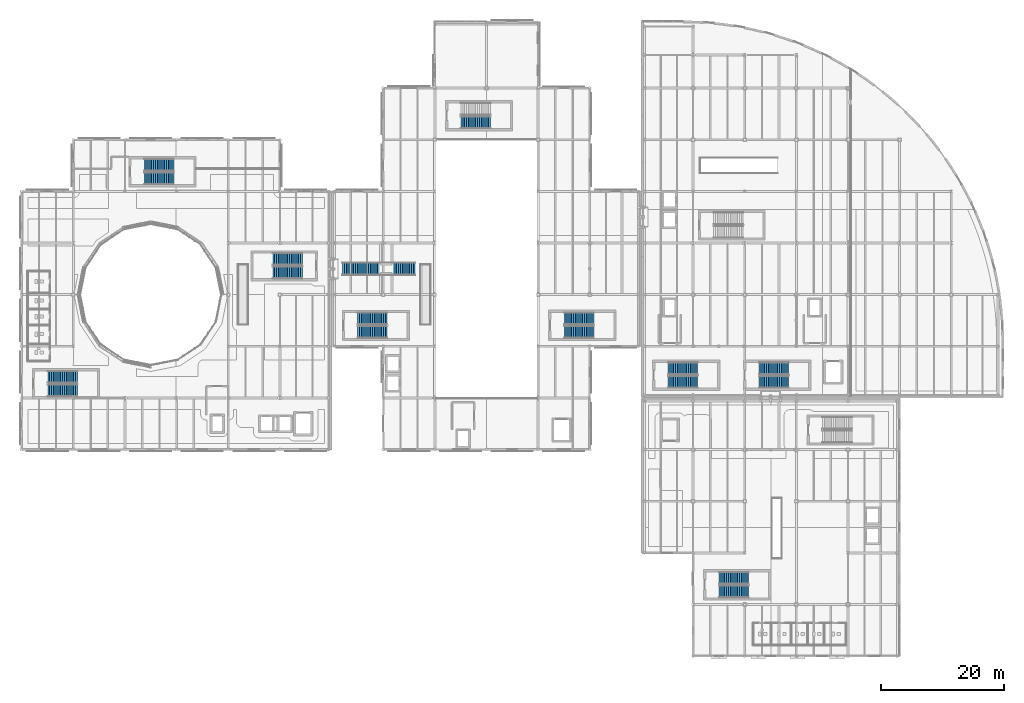
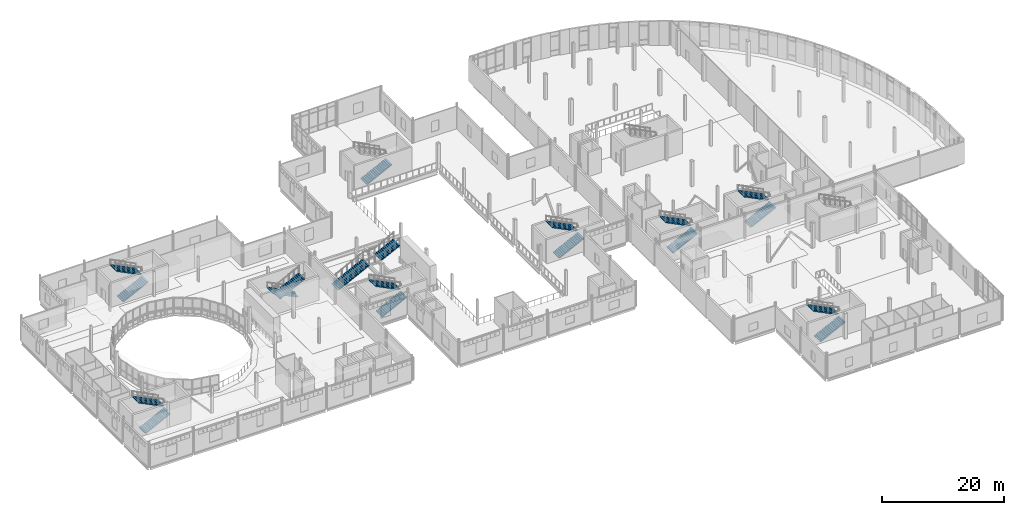
# One storey, part 74 of 104: 19 stair flights, 10 elements without a shape of their own.
"""IFC4 building model written with IfcOpenShell, lengths in metres."""

from ifc_helpers import new_model, si_unit, direction, frame, origin, place, context, subcontext, project, spatial, polyline, outline, extrude, material, type_object, element, aggregate, save


model = new_model("IFC4")

# Units and contexts
model_context = context("Model", 3, precision=1e-05, world=origin(), true_north=direction((0.0, 1.0)))
body_context = subcontext(model_context, "Body", "Model", "MODEL_VIEW")
ifc_project = project(units=[si_unit("LENGTHUNIT", "METRE"), si_unit("AREAUNIT", "SQUARE_METRE"), si_unit("VOLUMEUNIT", "CUBIC_METRE"), si_unit("PLANEANGLEUNIT", "RADIAN"), si_unit("MASSUNIT", "GRAM", prefix="KILO"), si_unit("THERMODYNAMICTEMPERATUREUNIT", "KELVIN")], contexts=[model_context])

# Site, building, storey
site_placement = place(None, origin())
site = spatial("IfcSite", under=ifc_project, at=site_placement, CompositionType="ELEMENT")
building_placement = place(site_placement, origin())
building = spatial("IfcBuilding", under=site, at=building_placement, Name="Lustrewick Department Store", CompositionType="ELEMENT")
storey_placement = place(building_placement, frame((0.0, 0.0, 11.39990234375)))
storey = spatial("IfcBuildingStorey", under=building, at=storey_placement, Name="L03", CompositionType="ELEMENT", Elevation=11.39990234375)

# Stair, stair flights
ifc_material_1 = material(Name="Structural steel S355 (Q355B)", Category="steel")
stair_type_1 = type_object("IfcStairType", Name="AST03", PredefinedType="STRAIGHT_RUN_STAIR", material=ifc_material_1)
stair_1_placement = place(storey_placement, origin())
stair_1 = element("IfcStair", 1, at=stair_1_placement, inside=storey, type_object=stair_type_1, Name="L03 Architectural Feature Stair AST03", PredefinedType="STRAIGHT_RUN_STAIR")
stair_flight_type_1 = type_object("IfcStairFlightType", Name="SF-A3", PredefinedType="STRAIGHT", material=ifc_material_1)
stair_flight_1_placement = place(storey_placement, frame((60.60009765625, 71.39990234375, 0.0), z_axis=(0.0, 0.0, 1.0), x_axis=(1.0, 0.0, 0.0)))
stair_flight_1 = element("IfcStairFlight", 2, at=stair_flight_1_placement, type_object=stair_flight_type_1, Name="AST03 flight 1", NumberOfRisers=21, NumberOfTreads=20, PredefinedType="STRAIGHT", RiserHeight=0.15, TreadLength=0.3, context=body_context, shape_type="SweptSolid", body=[
    extrude(outline(polyline([(0.0, 0.0), (0.0, 0.14990234375), (0.300048828125, 0.14990234375), (0.300048828125, 0.300048828125), (0.60009765625, 0.300048828125), (0.60009765625, 0.449951171875), (0.89990234375, 0.449951171875), (0.89990234375, 0.60009765625), (1.199951171875, 0.60009765625), (1.199951171875, 0.75), (1.5, 0.75), (1.5, 0.89990234375), (1.800048828125, 0.89990234375), (1.800048828125, 1.050048828125), (2.10009765625, 1.050048828125), (2.10009765625, 1.199951171875), (2.39990234375, 1.199951171875), (2.39990234375, 1.35009765625), (2.699951171875, 1.35009765625), (2.699951171875, 1.5), (3.0, 1.5), (3.0, 1.64990234375), (3.300048828125, 1.64990234375), (3.300048828125, 1.800048828125), (3.60009765625, 1.800048828125), (3.60009765625, 1.949951171875), (3.89990234375, 1.949951171875), (3.89990234375, 2.10009765625), (4.199951171875, 2.10009765625), (4.199951171875, 2.25), (4.5, 2.25), (4.5, 2.39990234375), (4.800048828125, 2.39990234375), (4.800048828125, 2.550048828125), (5.10009765625, 2.550048828125), (5.10009765625, 2.699951171875), (5.39990234375, 2.699951171875), (5.39990234375, 2.85009765625), (5.699951171875, 2.85009765625), (5.699951171875, 3.0), (6.0, 3.0), (6.0, 3.14990234375), (6.0, 2.8212890625), (0.357666015625, 0.0), (0.0, 0.0)])), frame((0.0, 1.050048828125, 0.0), z_axis=(0.0, -1.0, 0.0), x_axis=(1.0, 0.0, 0.0)), (0.0, 0.0, 1.0), 2.10009765625),
])
stair_flight_2_placement = place(storey_placement, frame((68.800048828125, 71.39990234375, 3.150146484375), z_axis=(0.0, 0.0, 1.0), x_axis=(1.0, 0.0, 0.0)))
stair_flight_2 = element("IfcStairFlight", 3, at=stair_flight_2_placement, type_object=stair_flight_type_1, Name="AST03 flight 2", NumberOfRisers=13, NumberOfTreads=12, PredefinedType="STRAIGHT", RiserHeight=0.15, TreadLength=0.3, context=body_context, shape_type="SweptSolid", body=[
    extrude(outline(polyline([(0.0, 0.0), (0.0, 0.14990234375), (0.300048828125, 0.14990234375), (0.300048828125, 0.300048828125), (0.60009765625, 0.300048828125), (0.60009765625, 0.449951171875), (0.89990234375, 0.449951171875), (0.89990234375, 0.60009765625), (1.199951171875, 0.60009765625), (1.199951171875, 0.75), (1.5, 0.75), (1.5, 0.89990234375), (1.800048828125, 0.89990234375), (1.800048828125, 1.050048828125), (2.10009765625, 1.050048828125), (2.10009765625, 1.199951171875), (2.39990234375, 1.199951171875), (2.39990234375, 1.35009765625), (2.699951171875, 1.35009765625), (2.699951171875, 1.5), (3.0, 1.5), (3.0, 1.64990234375), (3.300048828125, 1.64990234375), (3.300048828125, 1.800048828125), (3.60009765625, 1.800048828125), (3.60009765625, 1.949951171875), (3.60009765625, 1.62109375), (0.357666015625, 0.0), (0.0, 0.0)])), frame((0.0, 1.050048828125, 0.0), z_axis=(0.0, -1.0, 0.0), x_axis=(1.0, 0.0, 0.0)), (0.0, 0.0, 1.0), 2.10009765625),
])
aggregate(stair_1, [stair_flight_1, stair_flight_2])

ifc_material_2 = material(Name="Concrete C30", Category="concrete")
stair_type_2 = type_object("IfcStairType", Name="ST-H51", PredefinedType="HALF_TURN_STAIR", material=ifc_material_2)
stair_2_placement = place(storey_placement, origin())
stair_2 = element("IfcStair", 4, at=stair_2_placement, inside=storey, type_object=stair_type_2, Name="L03 Smoke-Proof Exit Stair ST01", PredefinedType="HALF_TURN_STAIR")
stair_flight_type_2 = type_object("IfcStairFlightType", Name="SF-H51", PredefinedType="STRAIGHT", material=ifc_material_2)
stair_flight_3_placement = place(storey_placement, frame((12.64990234375, 51.60009765625, 0.0), z_axis=(0.0, 0.0, 1.0), x_axis=(1.0, 0.0, 0.0)))
stair_flight_3 = element("IfcStairFlight", 5, at=stair_flight_3_placement, type_object=stair_flight_type_2, Name="ST-H51 flight 1", NumberOfRisers=17, NumberOfTreads=16, PredefinedType="STRAIGHT", RiserHeight=0.15, TreadLength=0.3, context=body_context, shape_type="SweptSolid", body=[
    extrude(outline(polyline([(0.0, 0.0), (0.0, 0.14990234375), (0.300048828125, 0.14990234375), (0.300048828125, 0.300048828125), (0.60009765625, 0.300048828125), (0.60009765625, 0.449951171875), (0.89990234375, 0.449951171875), (0.89990234375, 0.60009765625), (1.199951171875, 0.60009765625), (1.199951171875, 0.75), (1.5, 0.75), (1.5, 0.89990234375), (1.800048828125, 0.89990234375), (1.800048828125, 1.050048828125), (2.10009765625, 1.050048828125), (2.10009765625, 1.199951171875), (2.39990234375, 1.199951171875), (2.39990234375, 1.35009765625), (2.699951171875, 1.35009765625), (2.699951171875, 1.5), (3.0, 1.5), (3.0, 1.64990234375), (3.300048828125, 1.64990234375), (3.300048828125, 1.800048828125), (3.60009765625, 1.800048828125), (3.60009765625, 1.949951171875), (3.89990234375, 1.949951171875), (3.89990234375, 2.10009765625), (4.199951171875, 2.10009765625), (4.199951171875, 2.25), (4.5, 2.25), (4.5, 2.39990234375), (4.800048828125, 2.39990234375), (4.800048828125, 2.550048828125), (4.800048828125, 2.22119140625), (0.357666015625, 0.0), (0.0, 0.0)])), frame((0.0, 1.0, 0.0), z_axis=(0.0, -1.0, 0.0), x_axis=(1.0, 0.0, 0.0)), (0.0, 0.0, 1.0), 2.0),
])
stair_flight_4_placement = place(storey_placement, frame((17.449951171875, 53.800048828125, 2.550048828125), z_axis=(0.0, 0.0, 1.0), x_axis=(-1.0, 0.0, 0.0)))
stair_flight_4 = element("IfcStairFlight", 6, at=stair_flight_4_placement, type_object=stair_flight_type_2, Name="ST-H51 flight 2", NumberOfRisers=17, NumberOfTreads=16, PredefinedType="STRAIGHT", RiserHeight=0.15, TreadLength=0.3, context=body_context, shape_type="SweptSolid", body=[
    extrude(outline(polyline([(0.0, 0.0), (0.0, 0.14990234375), (0.300048828125, 0.14990234375), (0.300048828125, 0.300048828125), (0.60009765625, 0.300048828125), (0.60009765625, 0.449951171875), (0.89990234375, 0.449951171875), (0.89990234375, 0.60009765625), (1.199951171875, 0.60009765625), (1.199951171875, 0.75), (1.5, 0.75), (1.5, 0.89990234375), (1.800048828125, 0.89990234375), (1.800048828125, 1.050048828125), (2.10009765625, 1.050048828125), (2.10009765625, 1.199951171875), (2.39990234375, 1.199951171875), (2.39990234375, 1.35009765625), (2.699951171875, 1.35009765625), (2.699951171875, 1.5), (3.0, 1.5), (3.0, 1.64990234375), (3.300048828125, 1.64990234375), (3.300048828125, 1.800048828125), (3.60009765625, 1.800048828125), (3.60009765625, 1.949951171875), (3.89990234375, 1.949951171875), (3.89990234375, 2.10009765625), (4.199951171875, 2.10009765625), (4.199951171875, 2.25), (4.5, 2.25), (4.5, 2.39990234375), (4.800048828125, 2.39990234375), (4.800048828125, 2.550048828125), (4.800048828125, 2.22119140625), (0.357666015625, 0.0), (0.0, 0.0)])), frame((0.0, 1.0, 0.0), z_axis=(0.0, -1.0, 0.0), x_axis=(1.0, 0.0, 0.0)), (0.0, 0.0, 1.0), 2.0),
])
aggregate(stair_2, [stair_flight_3, stair_flight_4])

stair_3_placement = place(storey_placement, origin())
stair_3 = element("IfcStair", 7, at=stair_3_placement, inside=storey, type_object=stair_type_2, Name="L03 Smoke-Proof Exit Stair ST02", PredefinedType="HALF_TURN_STAIR")
stair_flight_5_placement = place(storey_placement, frame((54.050048828125, 73.0, 0.0), z_axis=(0.0, 0.0, 1.0), x_axis=(-1.0, 0.0, 0.0)))
stair_flight_5 = element("IfcStairFlight", 8, at=stair_flight_5_placement, type_object=stair_flight_type_2, Name="ST-H51 flight 1", NumberOfRisers=17, NumberOfTreads=16, PredefinedType="STRAIGHT", RiserHeight=0.15, TreadLength=0.3, context=body_context, shape_type="SweptSolid", body=[
    extrude(outline(polyline([(0.0, 0.0), (0.0, 0.14990234375), (0.300048828125, 0.14990234375), (0.300048828125, 0.300048828125), (0.60009765625, 0.300048828125), (0.60009765625, 0.449951171875), (0.89990234375, 0.449951171875), (0.89990234375, 0.60009765625), (1.199951171875, 0.60009765625), (1.199951171875, 0.75), (1.5, 0.75), (1.5, 0.89990234375), (1.800048828125, 0.89990234375), (1.800048828125, 1.050048828125), (2.10009765625, 1.050048828125), (2.10009765625, 1.199951171875), (2.39990234375, 1.199951171875), (2.39990234375, 1.35009765625), (2.699951171875, 1.35009765625), (2.699951171875, 1.5), (3.0, 1.5), (3.0, 1.64990234375), (3.300048828125, 1.64990234375), (3.300048828125, 1.800048828125), (3.60009765625, 1.800048828125), (3.60009765625, 1.949951171875), (3.89990234375, 1.949951171875), (3.89990234375, 2.10009765625), (4.199951171875, 2.10009765625), (4.199951171875, 2.25), (4.5, 2.25), (4.5, 2.39990234375), (4.800048828125, 2.39990234375), (4.800048828125, 2.550048828125), (4.800048828125, 2.22119140625), (0.357666015625, 0.0), (0.0, 0.0)])), frame((0.0, 1.0, 0.0), z_axis=(0.0, -1.0, 0.0), x_axis=(1.0, 0.0, 0.0)), (0.0, 0.0, 1.0), 2.0),
])
stair_flight_6_placement = place(storey_placement, frame((49.25, 70.800048828125, 2.550048828125), z_axis=(0.0, 0.0, 1.0), x_axis=(1.0, 0.0, 0.0)))
stair_flight_6 = element("IfcStairFlight", 9, at=stair_flight_6_placement, type_object=stair_flight_type_2, Name="ST-H51 flight 2", NumberOfRisers=17, NumberOfTreads=16, PredefinedType="STRAIGHT", RiserHeight=0.15, TreadLength=0.3, context=body_context, shape_type="SweptSolid", body=[
    extrude(outline(polyline([(0.0, 0.0), (0.0, 0.14990234375), (0.300048828125, 0.14990234375), (0.300048828125, 0.300048828125), (0.60009765625, 0.300048828125), (0.60009765625, 0.449951171875), (0.89990234375, 0.449951171875), (0.89990234375, 0.60009765625), (1.199951171875, 0.60009765625), (1.199951171875, 0.75), (1.5, 0.75), (1.5, 0.89990234375), (1.800048828125, 0.89990234375), (1.800048828125, 1.050048828125), (2.10009765625, 1.050048828125), (2.10009765625, 1.199951171875), (2.39990234375, 1.199951171875), (2.39990234375, 1.35009765625), (2.699951171875, 1.35009765625), (2.699951171875, 1.5), (3.0, 1.5), (3.0, 1.64990234375), (3.300048828125, 1.64990234375), (3.300048828125, 1.800048828125), (3.60009765625, 1.800048828125), (3.60009765625, 1.949951171875), (3.89990234375, 1.949951171875), (3.89990234375, 2.10009765625), (4.199951171875, 2.10009765625), (4.199951171875, 2.25), (4.5, 2.25), (4.5, 2.39990234375), (4.800048828125, 2.39990234375), (4.800048828125, 2.550048828125), (4.800048828125, 2.22119140625), (0.357666015625, 0.0), (0.0, 0.0)])), frame((0.0, 1.0, 0.0), z_axis=(0.0, -1.0, 0.0), x_axis=(1.0, 0.0, 0.0)), (0.0, 0.0, 1.0), 2.0),
])
aggregate(stair_3, [stair_flight_5, stair_flight_6])

stair_4_placement = place(storey_placement, origin())
stair_4 = element("IfcStair", 10, at=stair_4_placement, inside=storey, type_object=stair_type_2, Name="L03 Smoke-Proof Exit Stair ST03", PredefinedType="HALF_TURN_STAIR")
stair_flight_7_placement = place(storey_placement, frame((28.35009765625, 86.10009765625, 0.0), z_axis=(0.0, 0.0, 1.0), x_axis=(1.0, 0.0, 0.0)))
stair_flight_7 = element("IfcStairFlight", 11, at=stair_flight_7_placement, type_object=stair_flight_type_2, Name="ST-H51 flight 1", NumberOfRisers=17, NumberOfTreads=16, PredefinedType="STRAIGHT", RiserHeight=0.15, TreadLength=0.3, context=body_context, shape_type="SweptSolid", body=[
    extrude(outline(polyline([(0.0, 0.0), (0.0, 0.14990234375), (0.300048828125, 0.14990234375), (0.300048828125, 0.300048828125), (0.60009765625, 0.300048828125), (0.60009765625, 0.449951171875), (0.89990234375, 0.449951171875), (0.89990234375, 0.60009765625), (1.199951171875, 0.60009765625), (1.199951171875, 0.75), (1.5, 0.75), (1.5, 0.89990234375), (1.800048828125, 0.89990234375), (1.800048828125, 1.050048828125), (2.10009765625, 1.050048828125), (2.10009765625, 1.199951171875), (2.39990234375, 1.199951171875), (2.39990234375, 1.35009765625), (2.699951171875, 1.35009765625), (2.699951171875, 1.5), (3.0, 1.5), (3.0, 1.64990234375), (3.300048828125, 1.64990234375), (3.300048828125, 1.800048828125), (3.60009765625, 1.800048828125), (3.60009765625, 1.949951171875), (3.89990234375, 1.949951171875), (3.89990234375, 2.10009765625), (4.199951171875, 2.10009765625), (4.199951171875, 2.25), (4.5, 2.25), (4.5, 2.39990234375), (4.800048828125, 2.39990234375), (4.800048828125, 2.550048828125), (4.800048828125, 2.22119140625), (0.357666015625, 0.0), (0.0, 0.0)])), frame((0.0, 1.0, 0.0), z_axis=(0.0, -1.0, 0.0), x_axis=(1.0, 0.0, 0.0)), (0.0, 0.0, 1.0), 2.0),
])
stair_flight_8_placement = place(storey_placement, frame((33.14990234375, 88.300048828125, 2.550048828125), z_axis=(0.0, 0.0, 1.0), x_axis=(-1.0, 0.0, 0.0)))
stair_flight_8 = element("IfcStairFlight", 12, at=stair_flight_8_placement, type_object=stair_flight_type_2, Name="ST-H51 flight 2", NumberOfRisers=17, NumberOfTreads=16, PredefinedType="STRAIGHT", RiserHeight=0.15, TreadLength=0.3, context=body_context, shape_type="SweptSolid", body=[
    extrude(outline(polyline([(0.0, 0.0), (0.0, 0.14990234375), (0.300048828125, 0.14990234375), (0.300048828125, 0.300048828125), (0.60009765625, 0.300048828125), (0.60009765625, 0.449951171875), (0.89990234375, 0.449951171875), (0.89990234375, 0.60009765625), (1.199951171875, 0.60009765625), (1.199951171875, 0.75), (1.5, 0.75), (1.5, 0.89990234375), (1.800048828125, 0.89990234375), (1.800048828125, 1.050048828125), (2.10009765625, 1.050048828125), (2.10009765625, 1.199951171875), (2.39990234375, 1.199951171875), (2.39990234375, 1.35009765625), (2.699951171875, 1.35009765625), (2.699951171875, 1.5), (3.0, 1.5), (3.0, 1.64990234375), (3.300048828125, 1.64990234375), (3.300048828125, 1.800048828125), (3.60009765625, 1.800048828125), (3.60009765625, 1.949951171875), (3.89990234375, 1.949951171875), (3.89990234375, 2.10009765625), (4.199951171875, 2.10009765625), (4.199951171875, 2.25), (4.5, 2.25), (4.5, 2.39990234375), (4.800048828125, 2.39990234375), (4.800048828125, 2.550048828125), (4.800048828125, 2.22119140625), (0.357666015625, 0.0), (0.0, 0.0)])), frame((0.0, 1.0, 0.0), z_axis=(0.0, -1.0, 0.0), x_axis=(1.0, 0.0, 0.0)), (0.0, 0.0, 1.0), 2.0),
])
aggregate(stair_4, [stair_flight_7, stair_flight_8])

stair_5_placement = place(storey_placement, origin())
stair_5 = element("IfcStair", 13, at=stair_5_placement, inside=storey, type_object=stair_type_2, Name="L03 Smoke-Proof Exit Stair ST04", PredefinedType="HALF_TURN_STAIR")
stair_flight_9_placement = place(storey_placement, frame((63.050048828125, 61.10009765625, 0.0), z_axis=(0.0, 0.0, 1.0), x_axis=(1.0, 0.0, 0.0)))
stair_flight_9 = element("IfcStairFlight", 14, at=stair_flight_9_placement, type_object=stair_flight_type_2, Name="ST-H51 flight 1", NumberOfRisers=17, NumberOfTreads=16, PredefinedType="STRAIGHT", RiserHeight=0.15, TreadLength=0.3, context=body_context, shape_type="SweptSolid", body=[
    extrude(outline(polyline([(0.0, 0.0), (0.0, 0.14990234375), (0.300048828125, 0.14990234375), (0.300048828125, 0.300048828125), (0.60009765625, 0.300048828125), (0.60009765625, 0.449951171875), (0.89990234375, 0.449951171875), (0.89990234375, 0.60009765625), (1.199951171875, 0.60009765625), (1.199951171875, 0.75), (1.5, 0.75), (1.5, 0.89990234375), (1.800048828125, 0.89990234375), (1.800048828125, 1.050048828125), (2.10009765625, 1.050048828125), (2.10009765625, 1.199951171875), (2.39990234375, 1.199951171875), (2.39990234375, 1.35009765625), (2.699951171875, 1.35009765625), (2.699951171875, 1.5), (3.0, 1.5), (3.0, 1.64990234375), (3.300048828125, 1.64990234375), (3.300048828125, 1.800048828125), (3.60009765625, 1.800048828125), (3.60009765625, 1.949951171875), (3.89990234375, 1.949951171875), (3.89990234375, 2.10009765625), (4.199951171875, 2.10009765625), (4.199951171875, 2.25), (4.5, 2.25), (4.5, 2.39990234375), (4.800048828125, 2.39990234375), (4.800048828125, 2.550048828125), (4.800048828125, 2.22119140625), (0.357666015625, 0.0), (0.0, 0.0)])), frame((0.0, 1.0, 0.0), z_axis=(0.0, -1.0, 0.0), x_axis=(1.0, 0.0, 0.0)), (0.0, 0.0, 1.0), 2.0),
])
stair_flight_10_placement = place(storey_placement, frame((67.85009765625, 63.300048828125, 2.550048828125), z_axis=(0.0, 0.0, 1.0), x_axis=(-1.0, 0.0, 0.0)))
stair_flight_10 = element("IfcStairFlight", 15, at=stair_flight_10_placement, type_object=stair_flight_type_2, Name="ST-H51 flight 2", NumberOfRisers=17, NumberOfTreads=16, PredefinedType="STRAIGHT", RiserHeight=0.15, TreadLength=0.3, context=body_context, shape_type="SweptSolid", body=[
    extrude(outline(polyline([(0.0, 0.0), (0.0, 0.14990234375), (0.300048828125, 0.14990234375), (0.300048828125, 0.300048828125), (0.60009765625, 0.300048828125), (0.60009765625, 0.449951171875), (0.89990234375, 0.449951171875), (0.89990234375, 0.60009765625), (1.199951171875, 0.60009765625), (1.199951171875, 0.75), (1.5, 0.75), (1.5, 0.89990234375), (1.800048828125, 0.89990234375), (1.800048828125, 1.050048828125), (2.10009765625, 1.050048828125), (2.10009765625, 1.199951171875), (2.39990234375, 1.199951171875), (2.39990234375, 1.35009765625), (2.699951171875, 1.35009765625), (2.699951171875, 1.5), (3.0, 1.5), (3.0, 1.64990234375), (3.300048828125, 1.64990234375), (3.300048828125, 1.800048828125), (3.60009765625, 1.800048828125), (3.60009765625, 1.949951171875), (3.89990234375, 1.949951171875), (3.89990234375, 2.10009765625), (4.199951171875, 2.10009765625), (4.199951171875, 2.25), (4.5, 2.25), (4.5, 2.39990234375), (4.800048828125, 2.39990234375), (4.800048828125, 2.550048828125), (4.800048828125, 2.22119140625), (0.357666015625, 0.0), (0.0, 0.0)])), frame((0.0, 1.0, 0.0), z_axis=(0.0, -1.0, 0.0), x_axis=(1.0, 0.0, 0.0)), (0.0, 0.0, 1.0), 2.0),
])
aggregate(stair_5, [stair_flight_9, stair_flight_10])

stair_6_placement = place(storey_placement, origin())
stair_6 = element("IfcStair", 16, at=stair_6_placement, inside=storey, type_object=stair_type_2, Name="L03 Smoke-Proof Exit Stair ST05", PredefinedType="HALF_TURN_STAIR")
stair_flight_11_placement = place(storey_placement, frame((96.64990234375, 61.10009765625, 0.0), z_axis=(0.0, 0.0, 1.0), x_axis=(1.0, 0.0, 0.0)))
stair_flight_11 = element("IfcStairFlight", 17, at=stair_flight_11_placement, type_object=stair_flight_type_2, Name="ST-H51 flight 1", NumberOfRisers=17, NumberOfTreads=16, PredefinedType="STRAIGHT", RiserHeight=0.15, TreadLength=0.3, context=body_context, shape_type="SweptSolid", body=[
    extrude(outline(polyline([(0.0, 0.0), (0.0, 0.14990234375), (0.300048828125, 0.14990234375), (0.300048828125, 0.300048828125), (0.60009765625, 0.300048828125), (0.60009765625, 0.449951171875), (0.89990234375, 0.449951171875), (0.89990234375, 0.60009765625), (1.199951171875, 0.60009765625), (1.199951171875, 0.75), (1.5, 0.75), (1.5, 0.89990234375), (1.800048828125, 0.89990234375), (1.800048828125, 1.050048828125), (2.10009765625, 1.050048828125), (2.10009765625, 1.199951171875), (2.39990234375, 1.199951171875), (2.39990234375, 1.35009765625), (2.699951171875, 1.35009765625), (2.699951171875, 1.5), (3.0, 1.5), (3.0, 1.64990234375), (3.300048828125, 1.64990234375), (3.300048828125, 1.800048828125), (3.60009765625, 1.800048828125), (3.60009765625, 1.949951171875), (3.89990234375, 1.949951171875), (3.89990234375, 2.10009765625), (4.199951171875, 2.10009765625), (4.199951171875, 2.25), (4.5, 2.25), (4.5, 2.39990234375), (4.800048828125, 2.39990234375), (4.800048828125, 2.550048828125), (4.800048828125, 2.22119140625), (0.357666015625, 0.0), (0.0, 0.0)])), frame((0.0, 1.0, 0.0), z_axis=(0.0, -1.0, 0.0), x_axis=(1.0, 0.0, 0.0)), (0.0, 0.0, 1.0), 2.0),
])
stair_flight_12_placement = place(storey_placement, frame((101.449951171875, 63.300048828125, 2.550048828125), z_axis=(0.0, 0.0, 1.0), x_axis=(-1.0, 0.0, 0.0)))
stair_flight_12 = element("IfcStairFlight", 18, at=stair_flight_12_placement, type_object=stair_flight_type_2, Name="ST-H51 flight 2", NumberOfRisers=17, NumberOfTreads=16, PredefinedType="STRAIGHT", RiserHeight=0.15, TreadLength=0.3, context=body_context, shape_type="SweptSolid", body=[
    extrude(outline(polyline([(0.0, 0.0), (0.0, 0.14990234375), (0.300048828125, 0.14990234375), (0.300048828125, 0.300048828125), (0.60009765625, 0.300048828125), (0.60009765625, 0.449951171875), (0.89990234375, 0.449951171875), (0.89990234375, 0.60009765625), (1.199951171875, 0.60009765625), (1.199951171875, 0.75), (1.5, 0.75), (1.5, 0.89990234375), (1.800048828125, 0.89990234375), (1.800048828125, 1.050048828125), (2.10009765625, 1.050048828125), (2.10009765625, 1.199951171875), (2.39990234375, 1.199951171875), (2.39990234375, 1.35009765625), (2.699951171875, 1.35009765625), (2.699951171875, 1.5), (3.0, 1.5), (3.0, 1.64990234375), (3.300048828125, 1.64990234375), (3.300048828125, 1.800048828125), (3.60009765625, 1.800048828125), (3.60009765625, 1.949951171875), (3.89990234375, 1.949951171875), (3.89990234375, 2.10009765625), (4.199951171875, 2.10009765625), (4.199951171875, 2.25), (4.5, 2.25), (4.5, 2.39990234375), (4.800048828125, 2.39990234375), (4.800048828125, 2.550048828125), (4.800048828125, 2.22119140625), (0.357666015625, 0.0), (0.0, 0.0)])), frame((0.0, 1.0, 0.0), z_axis=(0.0, -1.0, 0.0), x_axis=(1.0, 0.0, 0.0)), (0.0, 0.0, 1.0), 2.0),
])
aggregate(stair_6, [stair_flight_11, stair_flight_12])

# Stair, stair flight
stair_7_placement = place(storey_placement, origin())
stair_7 = element("IfcStair", 19, at=stair_7_placement, inside=storey, type_object=stair_type_2, Name="L03 Smoke-Proof Exit Stair ST06", PredefinedType="HALF_TURN_STAIR")
stair_flight_13_placement = place(storey_placement, frame((79.85009765625, 95.199951171875, 0.0), z_axis=(0.0, 0.0, 1.0), x_axis=(1.0, 0.0, 0.0)))
stair_flight_13 = element("IfcStairFlight", 20, at=stair_flight_13_placement, type_object=stair_flight_type_2, Name="ST-H51 flight 1", NumberOfRisers=17, NumberOfTreads=16, PredefinedType="STRAIGHT", RiserHeight=0.15, TreadLength=0.3, context=body_context, shape_type="SweptSolid", body=[
    extrude(outline(polyline([(0.0, 0.0), (0.0, 0.14990234375), (0.300048828125, 0.14990234375), (0.300048828125, 0.300048828125), (0.60009765625, 0.300048828125), (0.60009765625, 0.449951171875), (0.89990234375, 0.449951171875), (0.89990234375, 0.60009765625), (1.199951171875, 0.60009765625), (1.199951171875, 0.75), (1.5, 0.75), (1.5, 0.89990234375), (1.800048828125, 0.89990234375), (1.800048828125, 1.050048828125), (2.10009765625, 1.050048828125), (2.10009765625, 1.199951171875), (2.39990234375, 1.199951171875), (2.39990234375, 1.35009765625), (2.699951171875, 1.35009765625), (2.699951171875, 1.5), (3.0, 1.5), (3.0, 1.64990234375), (3.300048828125, 1.64990234375), (3.300048828125, 1.800048828125), (3.60009765625, 1.800048828125), (3.60009765625, 1.949951171875), (3.89990234375, 1.949951171875), (3.89990234375, 2.10009765625), (4.199951171875, 2.10009765625), (4.199951171875, 2.25), (4.5, 2.25), (4.5, 2.39990234375), (4.800048828125, 2.39990234375), (4.800048828125, 2.550048828125), (4.800048828125, 2.22119140625), (0.357666015625, 0.0), (0.0, 0.0)])), frame((0.0, 1.0, 0.0), z_axis=(0.0, -1.0, 0.0), x_axis=(1.0, 0.0, 0.0)), (0.0, 0.0, 1.0), 2.0),
])
aggregate(stair_7, [stair_flight_13])

# Stair, stair flights
stair_8_placement = place(storey_placement, origin())
stair_8 = element("IfcStair", 21, at=stair_8_placement, inside=storey, type_object=stair_type_2, Name="L03 Smoke-Proof Exit Stair ST07", PredefinedType="HALF_TURN_STAIR")
stair_flight_14_placement = place(storey_placement, frame((121.85009765625, 18.89990234375, 0.0), z_axis=(0.0, 0.0, 1.0), x_axis=(1.0, 0.0, 0.0)))
stair_flight_14 = element("IfcStairFlight", 22, at=stair_flight_14_placement, type_object=stair_flight_type_2, Name="ST-H51 flight 1", NumberOfRisers=17, NumberOfTreads=16, PredefinedType="STRAIGHT", RiserHeight=0.15, TreadLength=0.3, context=body_context, shape_type="SweptSolid", body=[
    extrude(outline(polyline([(0.0, 0.0), (0.0, 0.14990234375), (0.300048828125, 0.14990234375), (0.300048828125, 0.300048828125), (0.60009765625, 0.300048828125), (0.60009765625, 0.449951171875), (0.89990234375, 0.449951171875), (0.89990234375, 0.60009765625), (1.199951171875, 0.60009765625), (1.199951171875, 0.75), (1.5, 0.75), (1.5, 0.89990234375), (1.800048828125, 0.89990234375), (1.800048828125, 1.050048828125), (2.10009765625, 1.050048828125), (2.10009765625, 1.199951171875), (2.39990234375, 1.199951171875), (2.39990234375, 1.35009765625), (2.699951171875, 1.35009765625), (2.699951171875, 1.5), (3.0, 1.5), (3.0, 1.64990234375), (3.300048828125, 1.64990234375), (3.300048828125, 1.800048828125), (3.60009765625, 1.800048828125), (3.60009765625, 1.949951171875), (3.89990234375, 1.949951171875), (3.89990234375, 2.10009765625), (4.199951171875, 2.10009765625), (4.199951171875, 2.25), (4.5, 2.25), (4.5, 2.39990234375), (4.800048828125, 2.39990234375), (4.800048828125, 2.550048828125), (4.800048828125, 2.22119140625), (0.357666015625, 0.0), (0.0, 0.0)])), frame((0.0, 1.0, 0.0), z_axis=(0.0, -1.0, 0.0), x_axis=(1.0, 0.0, 0.0)), (0.0, 0.0, 1.0), 2.0),
])
stair_flight_15_placement = place(storey_placement, frame((126.64990234375, 21.10009765625, 2.550048828125), z_axis=(0.0, 0.0, 1.0), x_axis=(-1.0, 0.0, 0.0)))
stair_flight_15 = element("IfcStairFlight", 23, at=stair_flight_15_placement, type_object=stair_flight_type_2, Name="ST-H51 flight 2", NumberOfRisers=17, NumberOfTreads=16, PredefinedType="STRAIGHT", RiserHeight=0.15, TreadLength=0.3, context=body_context, shape_type="SweptSolid", body=[
    extrude(outline(polyline([(0.0, 0.0), (0.0, 0.14990234375), (0.300048828125, 0.14990234375), (0.300048828125, 0.300048828125), (0.60009765625, 0.300048828125), (0.60009765625, 0.449951171875), (0.89990234375, 0.449951171875), (0.89990234375, 0.60009765625), (1.199951171875, 0.60009765625), (1.199951171875, 0.75), (1.5, 0.75), (1.5, 0.89990234375), (1.800048828125, 0.89990234375), (1.800048828125, 1.050048828125), (2.10009765625, 1.050048828125), (2.10009765625, 1.199951171875), (2.39990234375, 1.199951171875), (2.39990234375, 1.35009765625), (2.699951171875, 1.35009765625), (2.699951171875, 1.5), (3.0, 1.5), (3.0, 1.64990234375), (3.300048828125, 1.64990234375), (3.300048828125, 1.800048828125), (3.60009765625, 1.800048828125), (3.60009765625, 1.949951171875), (3.89990234375, 1.949951171875), (3.89990234375, 2.10009765625), (4.199951171875, 2.10009765625), (4.199951171875, 2.25), (4.5, 2.25), (4.5, 2.39990234375), (4.800048828125, 2.39990234375), (4.800048828125, 2.550048828125), (4.800048828125, 2.22119140625), (0.357666015625, 0.0), (0.0, 0.0)])), frame((0.0, 1.0, 0.0), z_axis=(0.0, -1.0, 0.0), x_axis=(1.0, 0.0, 0.0)), (0.0, 0.0, 1.0), 2.0),
])
aggregate(stair_8, [stair_flight_14, stair_flight_15])

stair_9_placement = place(storey_placement, origin())
stair_9 = element("IfcStair", 24, at=stair_9_placement, inside=storey, type_object=stair_type_2, Name="L03 Smoke-Proof Exit Stair ST09", PredefinedType="HALF_TURN_STAIR")
stair_flight_16_placement = place(storey_placement, frame((113.550048828125, 53.0, 0.0), z_axis=(0.0, 0.0, 1.0), x_axis=(1.0, 0.0, 0.0)))
stair_flight_16 = element("IfcStairFlight", 25, at=stair_flight_16_placement, type_object=stair_flight_type_2, Name="ST-H51 flight 1", NumberOfRisers=17, NumberOfTreads=16, PredefinedType="STRAIGHT", RiserHeight=0.15, TreadLength=0.3, context=body_context, shape_type="SweptSolid", body=[
    extrude(outline(polyline([(0.0, 0.0), (0.0, 0.14990234375), (0.300048828125, 0.14990234375), (0.300048828125, 0.300048828125), (0.60009765625, 0.300048828125), (0.60009765625, 0.449951171875), (0.89990234375, 0.449951171875), (0.89990234375, 0.60009765625), (1.199951171875, 0.60009765625), (1.199951171875, 0.75), (1.5, 0.75), (1.5, 0.89990234375), (1.800048828125, 0.89990234375), (1.800048828125, 1.050048828125), (2.10009765625, 1.050048828125), (2.10009765625, 1.199951171875), (2.39990234375, 1.199951171875), (2.39990234375, 1.35009765625), (2.699951171875, 1.35009765625), (2.699951171875, 1.5), (3.0, 1.5), (3.0, 1.64990234375), (3.300048828125, 1.64990234375), (3.300048828125, 1.800048828125), (3.60009765625, 1.800048828125), (3.60009765625, 1.949951171875), (3.89990234375, 1.949951171875), (3.89990234375, 2.10009765625), (4.199951171875, 2.10009765625), (4.199951171875, 2.25), (4.5, 2.25), (4.5, 2.39990234375), (4.800048828125, 2.39990234375), (4.800048828125, 2.550048828125), (4.800048828125, 2.22119140625), (0.357666015625, 0.0), (0.0, 0.0)])), frame((0.0, 1.0, 0.0), z_axis=(0.0, -1.0, 0.0), x_axis=(1.0, 0.0, 0.0)), (0.0, 0.0, 1.0), 2.0),
])
stair_flight_17_placement = place(storey_placement, frame((118.35009765625, 55.199951171875, 2.550048828125), z_axis=(0.0, 0.0, 1.0), x_axis=(-1.0, 0.0, 0.0)))
stair_flight_17 = element("IfcStairFlight", 26, at=stair_flight_17_placement, type_object=stair_flight_type_2, Name="ST-H51 flight 2", NumberOfRisers=17, NumberOfTreads=16, PredefinedType="STRAIGHT", RiserHeight=0.15, TreadLength=0.3, context=body_context, shape_type="SweptSolid", body=[
    extrude(outline(polyline([(0.0, 0.0), (0.0, 0.14990234375), (0.300048828125, 0.14990234375), (0.300048828125, 0.300048828125), (0.60009765625, 0.300048828125), (0.60009765625, 0.449951171875), (0.89990234375, 0.449951171875), (0.89990234375, 0.60009765625), (1.199951171875, 0.60009765625), (1.199951171875, 0.75), (1.5, 0.75), (1.5, 0.89990234375), (1.800048828125, 0.89990234375), (1.800048828125, 1.050048828125), (2.10009765625, 1.050048828125), (2.10009765625, 1.199951171875), (2.39990234375, 1.199951171875), (2.39990234375, 1.35009765625), (2.699951171875, 1.35009765625), (2.699951171875, 1.5), (3.0, 1.5), (3.0, 1.64990234375), (3.300048828125, 1.64990234375), (3.300048828125, 1.800048828125), (3.60009765625, 1.800048828125), (3.60009765625, 1.949951171875), (3.89990234375, 1.949951171875), (3.89990234375, 2.10009765625), (4.199951171875, 2.10009765625), (4.199951171875, 2.25), (4.5, 2.25), (4.5, 2.39990234375), (4.800048828125, 2.39990234375), (4.800048828125, 2.550048828125), (4.800048828125, 2.22119140625), (0.357666015625, 0.0), (0.0, 0.0)])), frame((0.0, 1.0, 0.0), z_axis=(0.0, -1.0, 0.0), x_axis=(1.0, 0.0, 0.0)), (0.0, 0.0, 1.0), 2.0),
])
aggregate(stair_9, [stair_flight_16, stair_flight_17])

stair_10_placement = place(storey_placement, origin())
stair_10 = element("IfcStair", 27, at=stair_10_placement, inside=storey, type_object=stair_type_2, Name="L03 Smoke-Proof Exit Stair ST11", PredefinedType="HALF_TURN_STAIR")
stair_flight_18_placement = place(storey_placement, frame((128.35009765625, 53.0, 0.0), z_axis=(0.0, 0.0, 1.0), x_axis=(1.0, 0.0, 0.0)))
stair_flight_18 = element("IfcStairFlight", 28, at=stair_flight_18_placement, type_object=stair_flight_type_2, Name="ST-H51 flight 1", NumberOfRisers=17, NumberOfTreads=16, PredefinedType="STRAIGHT", RiserHeight=0.15, TreadLength=0.3, context=body_context, shape_type="SweptSolid", body=[
    extrude(outline(polyline([(0.0, 0.0), (0.0, 0.14990234375), (0.300048828125, 0.14990234375), (0.300048828125, 0.300048828125), (0.60009765625, 0.300048828125), (0.60009765625, 0.449951171875), (0.89990234375, 0.449951171875), (0.89990234375, 0.60009765625), (1.199951171875, 0.60009765625), (1.199951171875, 0.75), (1.5, 0.75), (1.5, 0.89990234375), (1.800048828125, 0.89990234375), (1.800048828125, 1.050048828125), (2.10009765625, 1.050048828125), (2.10009765625, 1.199951171875), (2.39990234375, 1.199951171875), (2.39990234375, 1.35009765625), (2.699951171875, 1.35009765625), (2.699951171875, 1.5), (3.0, 1.5), (3.0, 1.64990234375), (3.300048828125, 1.64990234375), (3.300048828125, 1.800048828125), (3.60009765625, 1.800048828125), (3.60009765625, 1.949951171875), (3.89990234375, 1.949951171875), (3.89990234375, 2.10009765625), (4.199951171875, 2.10009765625), (4.199951171875, 2.25), (4.5, 2.25), (4.5, 2.39990234375), (4.800048828125, 2.39990234375), (4.800048828125, 2.550048828125), (4.800048828125, 2.22119140625), (0.357666015625, 0.0), (0.0, 0.0)])), frame((0.0, 1.0, 0.0), z_axis=(0.0, -1.0, 0.0), x_axis=(1.0, 0.0, 0.0)), (0.0, 0.0, 1.0), 2.0),
])
stair_flight_19_placement = place(storey_placement, frame((133.14990234375, 55.199951171875, 2.550048828125), z_axis=(0.0, 0.0, 1.0), x_axis=(-1.0, 0.0, 0.0)))
stair_flight_19 = element("IfcStairFlight", 29, at=stair_flight_19_placement, type_object=stair_flight_type_2, Name="ST-H51 flight 2", NumberOfRisers=17, NumberOfTreads=16, PredefinedType="STRAIGHT", RiserHeight=0.15, TreadLength=0.3, context=body_context, shape_type="SweptSolid", body=[
    extrude(outline(polyline([(0.0, 0.0), (0.0, 0.14990234375), (0.300048828125, 0.14990234375), (0.300048828125, 0.300048828125), (0.60009765625, 0.300048828125), (0.60009765625, 0.449951171875), (0.89990234375, 0.449951171875), (0.89990234375, 0.60009765625), (1.199951171875, 0.60009765625), (1.199951171875, 0.75), (1.5, 0.75), (1.5, 0.89990234375), (1.800048828125, 0.89990234375), (1.800048828125, 1.050048828125), (2.10009765625, 1.050048828125), (2.10009765625, 1.199951171875), (2.39990234375, 1.199951171875), (2.39990234375, 1.35009765625), (2.699951171875, 1.35009765625), (2.699951171875, 1.5), (3.0, 1.5), (3.0, 1.64990234375), (3.300048828125, 1.64990234375), (3.300048828125, 1.800048828125), (3.60009765625, 1.800048828125), (3.60009765625, 1.949951171875), (3.89990234375, 1.949951171875), (3.89990234375, 2.10009765625), (4.199951171875, 2.10009765625), (4.199951171875, 2.25), (4.5, 2.25), (4.5, 2.39990234375), (4.800048828125, 2.39990234375), (4.800048828125, 2.550048828125), (4.800048828125, 2.22119140625), (0.357666015625, 0.0), (0.0, 0.0)])), frame((0.0, 1.0, 0.0), z_axis=(0.0, -1.0, 0.0), x_axis=(1.0, 0.0, 0.0)), (0.0, 0.0, 1.0), 2.0),
])
aggregate(stair_10, [stair_flight_18, stair_flight_19])

save(model, "model.ifc")
